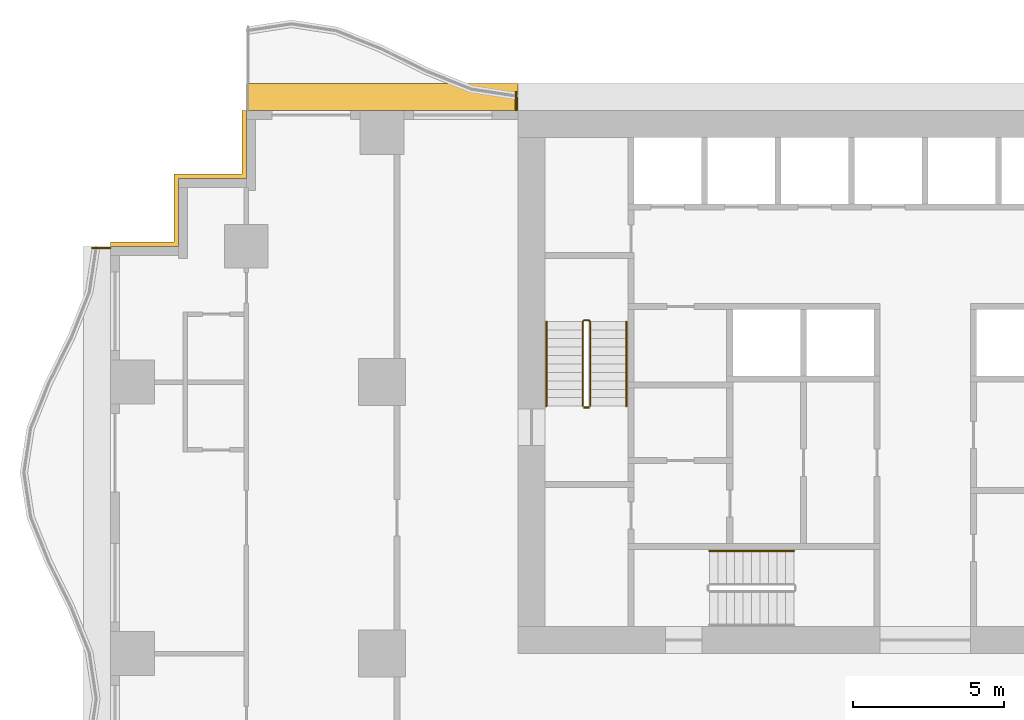
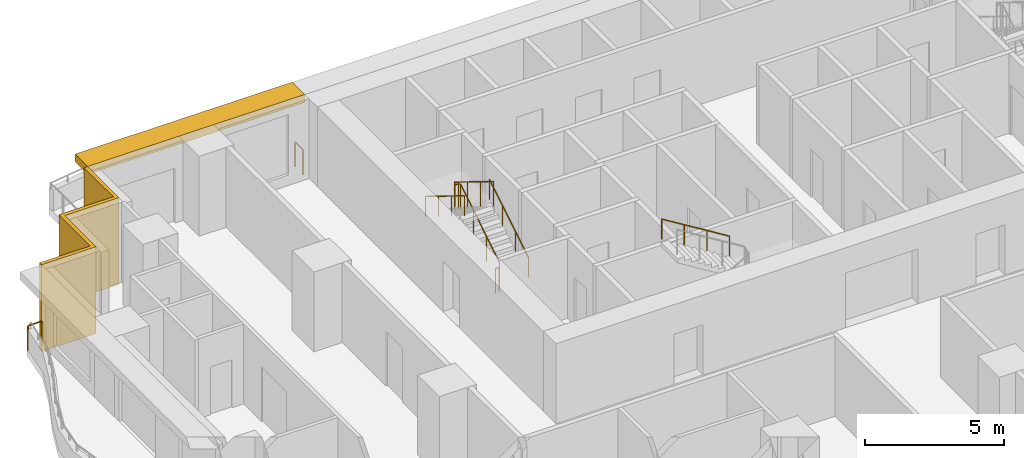
# One storey, part 12 of 14: 7 railings, 2 shading devices.
"""IFC4 building model written with IfcOpenShell, lengths in metres."""

from ifc_helpers import new_model, si_unit, direction, frame, origin, origin_2d, place, context, subcontext, project, spatial, polyline, rectangle, circle, outline, extrude, material, layer, layer_set, type_object, element, save


model = new_model("IFC4")

# Units and contexts
model_context = context("Model", 3, precision=1e-05, world=origin(), true_north=direction((0.0, 1.0)))
body_context = subcontext(model_context, "Body", "Model", "MODEL_VIEW")
ifc_project = project(units=[si_unit("LENGTHUNIT", "METRE"), si_unit("AREAUNIT", "SQUARE_METRE"), si_unit("VOLUMEUNIT", "CUBIC_METRE"), si_unit("PLANEANGLEUNIT", "RADIAN"), si_unit("MASSUNIT", "GRAM", prefix="KILO")], contexts=[model_context])

# Site, building, storey
site_placement = place(None, origin())
site = spatial("IfcSite", under=ifc_project, at=site_placement, CompositionType="ELEMENT")
building_placement = place(site_placement, origin())
building = spatial("IfcBuilding", under=site, at=building_placement, Name="Orbiselva Terraces", CompositionType="ELEMENT")
storey_placement = place(building_placement, frame((0.0, 0.0, 37.8)))
storey = spatial("IfcBuildingStorey", under=building, at=storey_placement, Name="L09", CompositionType="ELEMENT", Elevation=37.8)

# Railings
ifc_material_1 = material(Name="Stainless steel", Category="steel")
railing_type_1 = type_object("IfcRailingType", Name="CORE-GUARD-1100", PredefinedType="GUARDRAIL", material=ifc_material_1)
railing_1_placement = place(storey_placement, frame((-11.1, 12.7, 0.172727)))
element("IfcRailing", 1, at=railing_1_placement, inside=storey, type_object=railing_type_1, Name="L09 S1 stair guard 1", PredefinedType="GUARDRAIL", context=body_context, shape_type="SweptSolid", body=[
    extrude(circle(Radius=0.024, at=origin_2d()), frame((0.0, 0.0, 1.081), z_axis=(0.0, 0.851088519012, 0.52502222125), x_axis=(-1.0, 0.0, 0.0)), (0.0, 0.0, 1.0), 3.289905),
    extrude(circle(Radius=0.024, at=origin_2d()), frame((0.0, 2.8, 2.808273), z_axis=(-0.707106781187, 0.707106781187, 0.0), x_axis=(-0.707106781187, -0.707106781187, 0.0)), (0.0, 0.0, 1.0), 0.070711),
    extrude(circle(Radius=0.024, at=origin_2d()), frame((-0.05, 2.85, 2.808273), z_axis=(-1.0, 0.0, 0.0), x_axis=(0.0, -1.0, 0.0)), (0.0, 0.0, 1.0), 0.15),
    extrude(circle(Radius=0.024, at=origin_2d()), frame((-0.2, 2.85, 2.808273), z_axis=(-0.267894925557, -0.267894925557, 0.925453736133), x_axis=(0.707106781187, -0.707106781187, 0.0)), (0.0, 0.0, 1.0), 0.18664),
    extrude(circle(Radius=0.024, at=origin_2d()), frame((-0.25, 2.8, 2.981), z_axis=(0.0, -0.851088519012, 0.52502222125), x_axis=(1.0, 0.0, 0.0)), (0.0, 0.0, 1.0), 3.289905),
    extrude(circle(Radius=0.021, at=origin_2d()), origin(), (0.0, 0.0, 1.0), 1.057),
    extrude(circle(Radius=0.021, at=origin_2d()), frame((0.0, 0.933333, 0.575758)), (0.0, 0.0, 1.0), 1.057),
    extrude(circle(Radius=0.021, at=origin_2d()), frame((0.0, 1.866667, 1.151515)), (0.0, 0.0, 1.0), 1.057),
    extrude(circle(Radius=0.021, at=origin_2d()), frame((0.0, 2.8, 1.727273)), (0.0, 0.0, 1.0), 1.057),
    extrude(circle(Radius=0.021, at=origin_2d()), frame((-0.05, 2.85, 1.727273)), (0.0, 0.0, 1.0), 1.057),
    extrude(circle(Radius=0.021, at=origin_2d()), frame((-0.2, 2.85, 1.727273)), (0.0, 0.0, 1.0), 1.057),
    extrude(circle(Radius=0.021, at=origin_2d()), frame((-0.25, 2.8, 1.9)), (0.0, 0.0, 1.0), 1.057),
    extrude(circle(Radius=0.021, at=origin_2d()), frame((-0.25, 1.866667, 2.475758)), (0.0, 0.0, 1.0), 1.057),
    extrude(circle(Radius=0.021, at=origin_2d()), frame((-0.25, 0.933333, 3.051515)), (0.0, 0.0, 1.0), 1.057),
    extrude(circle(Radius=0.021, at=origin_2d()), frame((-0.25, 0.0, 3.627273)), (0.0, 0.0, 1.0), 1.057),
])
railing_2_placement = place(storey_placement, frame((-11.15, 12.65, 0.0)))
element("IfcRailing", 2, at=railing_2_placement, inside=storey, type_object=railing_type_1, Name="L09 S1 stair guard 2", PredefinedType="GUARDRAIL", context=body_context, shape_type="SweptSolid", body=[
    extrude(circle(Radius=0.024, at=origin_2d()), frame((0.0, 0.0, 1.081), z_axis=(-1.0, 0.0, 0.0), x_axis=(0.0, -1.0, 0.0)), (0.0, 0.0, 1.0), 0.15),
    extrude(circle(Radius=0.021, at=origin_2d()), origin(), (0.0, 0.0, 1.0), 1.057),
    extrude(circle(Radius=0.021, at=origin_2d()), frame((-0.15, 0.0, 0.0)), (0.0, 0.0, 1.0), 1.057),
])
railing_type_2 = type_object("IfcRailingType", Name="CORE-HANDRAIL-900", PredefinedType="HANDRAIL", material=ifc_material_1)
railing_3_placement = place(storey_placement, frame((-9.9, 12.7, 0.172727)))
element("IfcRailing", 3, at=railing_3_placement, inside=storey, type_object=railing_type_2, Name="L09 S1 stair handrail 1", PredefinedType="HANDRAIL", context=body_context, shape_type="SweptSolid", body=[
    extrude(circle(Radius=0.024, at=origin_2d()), frame((0.0, 0.0, 0.876), z_axis=(0.0, 0.851088519012, 0.52502222125), x_axis=(-1.0, 0.0, 0.0)), (0.0, 0.0, 1.0), 3.289905),
    extrude(circle(Radius=0.021, at=origin_2d()), origin(), (0.0, 0.0, 1.0), 0.852),
    extrude(circle(Radius=0.021, at=origin_2d()), frame((0.0, 0.933333, 0.575758)), (0.0, 0.0, 1.0), 0.852),
    extrude(circle(Radius=0.021, at=origin_2d()), frame((0.0, 1.866667, 1.151515)), (0.0, 0.0, 1.0), 0.852),
    extrude(circle(Radius=0.021, at=origin_2d()), frame((0.0, 2.8, 1.727273)), (0.0, 0.0, 1.0), 0.852),
])
railing_4_placement = place(storey_placement, frame((-12.55, 15.5, 2.072727)))
element("IfcRailing", 4, at=railing_4_placement, inside=storey, type_object=railing_type_2, Name="L09 S1 stair handrail 2", PredefinedType="HANDRAIL", context=body_context, shape_type="SweptSolid", body=[
    extrude(circle(Radius=0.024, at=origin_2d()), frame((0.0, 0.0, 0.876), z_axis=(0.0, -0.851088519012, 0.52502222125), x_axis=(1.0, 0.0, 0.0)), (0.0, 0.0, 1.0), 3.289905),
    extrude(circle(Radius=0.021, at=origin_2d()), origin(), (0.0, 0.0, 1.0), 0.852),
    extrude(circle(Radius=0.021, at=origin_2d()), frame((0.0, -0.933333, 0.575758)), (0.0, 0.0, 1.0), 0.852),
    extrude(circle(Radius=0.021, at=origin_2d()), frame((0.0, -1.866667, 1.151515)), (0.0, 0.0, 1.0), 0.852),
    extrude(circle(Radius=0.021, at=origin_2d()), frame((0.0, -2.8, 1.727273)), (0.0, 0.0, 1.0), 0.852),
])
railing_5_placement = place(storey_placement, frame((-4.35, 7.9, 2.072727)))
element("IfcRailing", 5, at=railing_5_placement, inside=storey, type_object=railing_type_2, Name="L09 S3 stair handrail 2", PredefinedType="HANDRAIL", context=body_context, shape_type="SweptSolid", body=[
    extrude(circle(Radius=0.024, at=origin_2d()), frame((0.0, 0.0, 0.876), z_axis=(-0.851088519012, 0.0, 0.52502222125), x_axis=(0.0, -1.0, 0.0)), (0.0, 0.0, 1.0), 3.289905),
    extrude(circle(Radius=0.021, at=origin_2d()), origin(), (0.0, 0.0, 1.0), 0.852),
    extrude(circle(Radius=0.021, at=origin_2d()), frame((-0.933333, 0.0, 0.575758)), (0.0, 0.0, 1.0), 0.852),
    extrude(circle(Radius=0.021, at=origin_2d()), frame((-1.866667, 0.0, 1.151515)), (0.0, 0.0, 1.0), 0.852),
    extrude(circle(Radius=0.021, at=origin_2d()), frame((-2.8, 0.0, 1.727273)), (0.0, 0.0, 1.0), 0.852),
])
ifc_material_2 = material(Name="Stainless steel rail and posts", Category="steel")
railing_type_3 = type_object("IfcRailingType", Name="ENV-GUARD-1105", PredefinedType="BALUSTRADE", material=ifc_material_2)
railing_6_placement = place(storey_placement, frame((-13.56, 23.100379, 0.0)))
element("IfcRailing", 6, at=railing_6_placement, inside=storey, type_object=railing_type_3, Name="Balcony end guard L09 NW", PredefinedType="BALUSTRADE", context=body_context, shape_type="SweptSolid", body=[
    extrude(outline(polyline([(0.028868, 0.0), (0.014434, 0.025), (-0.014434, 0.025), (-0.028868, 0.0), (-0.014434, -0.025), (0.014434, -0.025), (0.028868, 0.0)])), frame((0.0, 0.0, 1.08), z_axis=(0.0, -1.0, 0.0), x_axis=(1.0, 0.0, 0.0)), (0.0, 0.0, 1.0), 0.575379),
    extrude(rectangle(XDim=0.05, YDim=0.05, at=origin_2d()), origin(), (0.0, 0.0, 1.0), 1.055),
    extrude(rectangle(XDim=0.05, YDim=0.05, at=origin_2d()), frame((0.0, -0.575379, 0.0)), (0.0, 0.0, 1.0), 1.055),
])
railing_7_placement = place(storey_placement, frame((-27.600379, 17.94, 0.0)))
element("IfcRailing", 7, at=railing_7_placement, inside=storey, type_object=railing_type_3, Name="Balcony end guard L09 W", PredefinedType="BALUSTRADE", context=body_context, shape_type="SweptSolid", body=[
    extrude(outline(polyline([(0.028868, 0.0), (0.014434, 0.025), (-0.014434, 0.025), (-0.028868, 0.0), (-0.014434, -0.025), (0.014434, -0.025), (0.028868, 0.0)])), frame((0.0, 0.0, 1.08), z_axis=(1.0, 0.0, 0.0), x_axis=(0.0, 1.0, 0.0)), (0.0, 0.0, 1.0), 0.575379),
    extrude(rectangle(XDim=0.05, YDim=0.05, at=origin_2d()), origin(), (0.0, 0.0, 1.0), 1.055),
    extrude(rectangle(XDim=0.05, YDim=0.05, at=origin_2d()), frame((0.575379, 0.0, 0.0)), (0.0, 0.0, 1.0), 1.055),
])

# Shading devices
ifc_material_3 = material(Name="Terracotta louvre screen", Category="masonry")
ifc_layer_1 = layer(ifc_material_3, 0.15)
ifc_layer_set_1 = layer_set([ifc_layer_1], Name="Terracotta louvre screen")
shading_device_type_1 = type_object("IfcShadingDeviceType", Name="ENV-SCREEN-150", PredefinedType="USERDEFINED", material=ifc_layer_set_1)
shading_device_1_placement = place(storey_placement, frame((0.0, 0.0, -0.3)))
element("IfcShadingDevice", 8, at=shading_device_1_placement, inside=storey, type_object=shading_device_type_1, Name="Louvre screen L09 NW", ObjectType="SCREEN", PredefinedType="USERDEFINED", context=body_context, shape_type="SweptSolid", body=[
    extrude(outline(polyline([(-22.65, 22.5), (-22.65, 20.4), (-24.9, 20.4), (-24.9, 18.15), (-27.0, 18.15), (-27.0, 18.0), (-24.75, 18.0), (-24.75, 20.25), (-22.5, 20.25), (-22.5, 22.5), (-22.65, 22.5)])), origin(), (0.0, 0.0, 1.0), 3.8),
])
ifc_material_4 = material(Name="Terracotta baguette sunshade", Category="masonry")
ifc_layer_2 = layer(ifc_material_4, 0.35)
ifc_layer_set_2 = layer_set([ifc_layer_2], Name="Terracotta baguette sunshade")
shading_device_type_2 = type_object("IfcShadingDeviceType", Name="ENV-SUNSHADE-900x350", PredefinedType="USERDEFINED", material=ifc_layer_set_2)
shading_device_2_placement = place(storey_placement, frame((0.0, 0.0, 3.15)))
element("IfcShadingDevice", 9, at=shading_device_2_placement, inside=storey, type_object=shading_device_type_2, Name="Sunshade band L09 NW", ObjectType="SUNSHADE", PredefinedType="USERDEFINED", context=body_context, shape_type="SweptSolid", body=[
    extrude(outline(polyline([(-13.5, 23.4), (-22.5, 23.4), (-22.5, 22.5), (-13.5, 22.5), (-13.5, 23.4)])), origin(), (0.0, 0.0, 1.0), 0.35),
])

save(model, "model.ifc")
